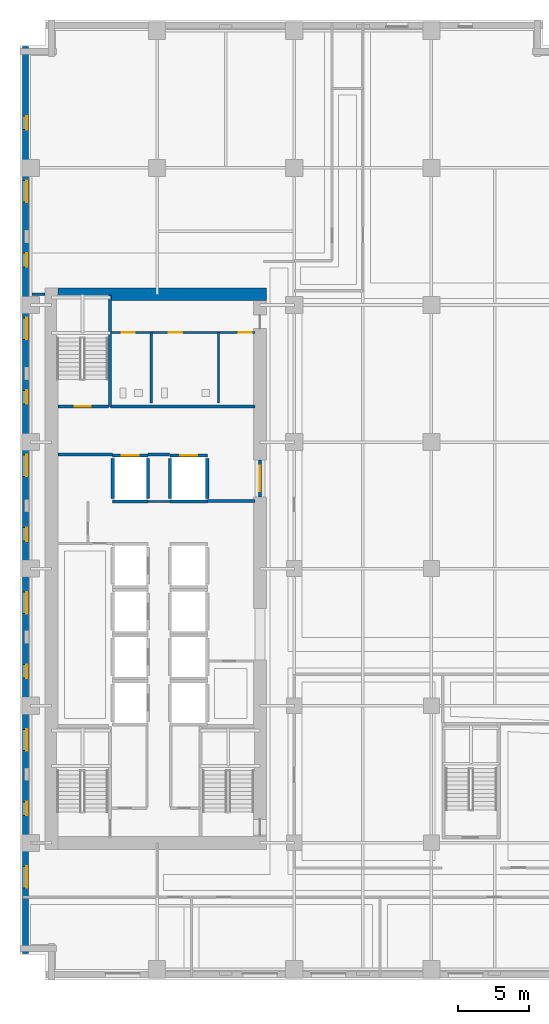
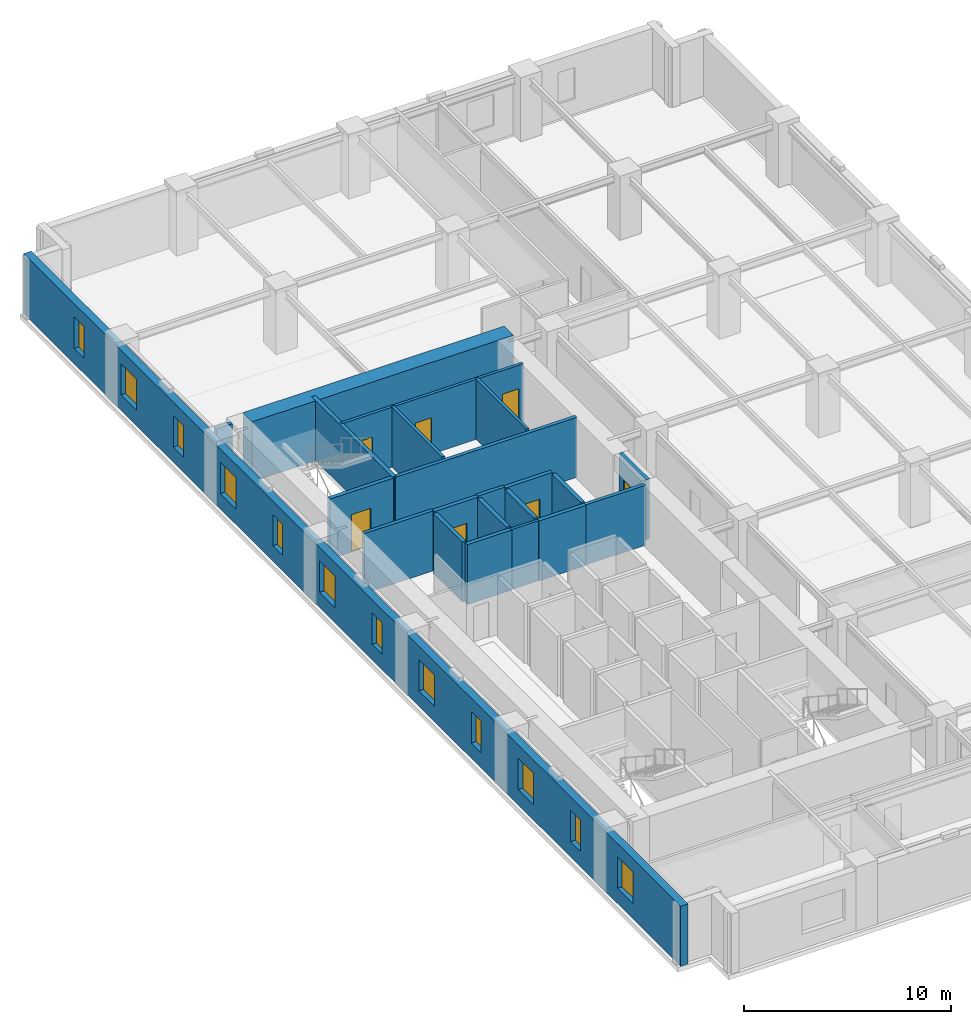
# One storey, part 6 of 13: 22 walls, 12 windows, 7 doors, 19 openings.
"""IFC4 building model written with IfcOpenShell, lengths in metres."""

from ifc_helpers import new_model, si_unit, direction, frame, frame_2d, origin, place, context, subcontext, project, spatial, rectangle, extrude, material, layer, layer_set, type_object, element, fill, save


model = new_model("IFC4")

# Units and contexts
model_context = context("Model", 3, precision=1e-05, world=origin(), true_north=direction((0.0, 1.0)))
body_context = subcontext(model_context, "Body", "Model", "MODEL_VIEW")
ifc_project = project(units=[si_unit("LENGTHUNIT", "METRE"), si_unit("AREAUNIT", "SQUARE_METRE"), si_unit("VOLUMEUNIT", "CUBIC_METRE"), si_unit("PLANEANGLEUNIT", "RADIAN"), si_unit("MASSUNIT", "GRAM", prefix="KILO")], contexts=[model_context])

# Site, building, storey
site_placement = place(None, origin())
site = spatial("IfcSite", under=ifc_project, at=site_placement, CompositionType="ELEMENT")
building_placement = place(site_placement, origin())
building = spatial("IfcBuilding", under=site, at=building_placement, Name="Norrvale University Quadrangle", CompositionType="ELEMENT")
storey_placement = place(building_placement, frame((0.0, 0.0, 39.39990234375)))
storey = spatial("IfcBuildingStorey", under=building, at=storey_placement, Name="L09", CompositionType="ELEMENT", Elevation=39.39990234375)

# Wall, openings, windows
ifc_material_1 = material(Name="Buff Norman Clay Brick Masonry", Category="masonry")
ifc_layer_1 = layer(ifc_material_1, 0.419921875, Name="Buff Norman Clay Brick Masonry")
ifc_layer_set_1 = layer_set([ifc_layer_1], Name="Buff Norman Clay Brick Masonry")
wall_type_1 = type_object("IfcWallType", Name="Wall Buff Brick 420", PredefinedType="SOLIDWALL", material=ifc_layer_set_1)
wall_1_placement = place(storey_placement, frame((0.389892578125, 65.360107421875, 0.0), z_axis=(0.0, 0.0, 1.0), x_axis=(0.0, -1.0, 0.0)))
wall_1 = element("IfcWall", 1, at=wall_1_placement, inside=storey, type_object=wall_type_1, Name="Exterior Brick Facade Wall L09-14.1", PredefinedType="SOLIDWALL", context=body_context, shape_type="SweptSolid", body=[
    extrude(rectangle(XDim=63.52001953125, YDim=0.419921875, at=frame_2d((31.760009765625, 0.0))), origin(), (0.0, 0.0, 1.0), 3.5400390625),
])
opening_1_placement = place(wall_1_placement, frame((4.885009765625, 0.0, 0.89990234375)))
opening_1 = element("IfcOpeningElement", 2, at=opening_1_placement, cuts=wall_1, Name="Opening W04", PredefinedType="OPENING", context=body_context, shape_type="SweptSolid", body=[
    extrude(rectangle(XDim=0.949951171875, YDim=1.85009765625, at=frame_2d((0.47509765625, 0.925048828125))), frame((0.0, 0.221923828125, 0.0), z_axis=(0.0, -1.0, 0.0), x_axis=(1.0, 0.0, 0.0)), (0.0, 0.0, 1.0), 0.44384765625),
])
opening_2_placement = place(wall_1_placement, frame((9.409912109375, 0.0, 0.89990234375)))
opening_2 = element("IfcOpeningElement", 3, at=opening_2_placement, cuts=wall_1, Name="Opening W03", PredefinedType="OPENING", context=body_context, shape_type="SweptSolid", body=[
    extrude(rectangle(XDim=1.5, YDim=1.85009765625, at=frame_2d((0.75, 0.925048828125))), frame((0.0, 0.221923828125, 0.0), z_axis=(0.0, -1.0, 0.0), x_axis=(1.0, 0.0, 0.0)), (0.0, 0.0, 1.0), 0.44384765625),
])
opening_3_placement = place(wall_1_placement, frame((14.485107421875, 0.0, 0.89990234375)))
opening_3 = element("IfcOpeningElement", 4, at=opening_3_placement, cuts=wall_1, Name="Opening W04", PredefinedType="OPENING", context=body_context, shape_type="SweptSolid", body=[
    extrude(rectangle(XDim=0.949951171875, YDim=1.85009765625, at=frame_2d((0.47509765625, 0.925048828125))), frame((0.0, 0.221923828125, 0.0), z_axis=(0.0, -1.0, 0.0), x_axis=(1.0, 0.0, 0.0)), (0.0, 0.0, 1.0), 0.44384765625),
])
opening_4_placement = place(wall_1_placement, frame((19.010009765625, 0.0, 0.89990234375)))
opening_4 = element("IfcOpeningElement", 5, at=opening_4_placement, cuts=wall_1, Name="Opening W03", PredefinedType="OPENING", context=body_context, shape_type="SweptSolid", body=[
    extrude(rectangle(XDim=1.5, YDim=1.85009765625, at=frame_2d((0.75, 0.925048828125))), frame((0.0, 0.221923828125, 0.0), z_axis=(0.0, -1.0, 0.0), x_axis=(1.0, 0.0, 0.0)), (0.0, 0.0, 1.0), 0.44384765625),
])
opening_5_placement = place(wall_1_placement, frame((24.0849609375, 0.0, 0.89990234375)))
opening_5 = element("IfcOpeningElement", 6, at=opening_5_placement, cuts=wall_1, Name="Opening W04", PredefinedType="OPENING", context=body_context, shape_type="SweptSolid", body=[
    extrude(rectangle(XDim=0.949951171875, YDim=1.85009765625, at=frame_2d((0.47509765625, 0.925048828125))), frame((0.0, 0.221923828125, 0.0), z_axis=(0.0, -1.0, 0.0), x_axis=(1.0, 0.0, 0.0)), (0.0, 0.0, 1.0), 0.44384765625),
])
opening_6_placement = place(wall_1_placement, frame((28.610107421875, 0.0, 0.89990234375)))
opening_6 = element("IfcOpeningElement", 7, at=opening_6_placement, cuts=wall_1, Name="Opening W03", PredefinedType="OPENING", context=body_context, shape_type="SweptSolid", body=[
    extrude(rectangle(XDim=1.5, YDim=1.85009765625, at=frame_2d((0.75, 0.925048828125))), frame((0.0, 0.221923828125, 0.0), z_axis=(0.0, -1.0, 0.0), x_axis=(1.0, 0.0, 0.0)), (0.0, 0.0, 1.0), 0.44384765625),
])
opening_7_placement = place(wall_1_placement, frame((33.68505859375, 0.0, 0.89990234375)))
opening_7 = element("IfcOpeningElement", 8, at=opening_7_placement, cuts=wall_1, Name="Opening W04", PredefinedType="OPENING", context=body_context, shape_type="SweptSolid", body=[
    extrude(rectangle(XDim=0.949951171875, YDim=1.85009765625, at=frame_2d((0.47509765625, 0.925048828125))), frame((0.0, 0.221923828125, 0.0), z_axis=(0.0, -1.0, 0.0), x_axis=(1.0, 0.0, 0.0)), (0.0, 0.0, 1.0), 0.44384765625),
])
opening_8_placement = place(wall_1_placement, frame((38.2099609375, 0.0, 0.89990234375)))
opening_8 = element("IfcOpeningElement", 9, at=opening_8_placement, cuts=wall_1, Name="Opening W03", PredefinedType="OPENING", context=body_context, shape_type="SweptSolid", body=[
    extrude(rectangle(XDim=1.5, YDim=1.85009765625, at=frame_2d((0.75, 0.925048828125))), frame((0.0, 0.221923828125, 0.0), z_axis=(0.0, -1.0, 0.0), x_axis=(1.0, 0.0, 0.0)), (0.0, 0.0, 1.0), 0.44384765625),
])
opening_9_placement = place(wall_1_placement, frame((43.284912109375, 0.0, 0.89990234375)))
opening_9 = element("IfcOpeningElement", 10, at=opening_9_placement, cuts=wall_1, Name="Opening W04", PredefinedType="OPENING", context=body_context, shape_type="SweptSolid", body=[
    extrude(rectangle(XDim=0.949951171875, YDim=1.85009765625, at=frame_2d((0.47509765625, 0.925048828125))), frame((0.0, 0.221923828125, 0.0), z_axis=(0.0, -1.0, 0.0), x_axis=(1.0, 0.0, 0.0)), (0.0, 0.0, 1.0), 0.44384765625),
])
opening_10_placement = place(wall_1_placement, frame((47.81005859375, 0.0, 0.89990234375)))
opening_10 = element("IfcOpeningElement", 11, at=opening_10_placement, cuts=wall_1, Name="Opening W03", PredefinedType="OPENING", context=body_context, shape_type="SweptSolid", body=[
    extrude(rectangle(XDim=1.5, YDim=1.85009765625, at=frame_2d((0.75, 0.925048828125))), frame((0.0, 0.221923828125, 0.0), z_axis=(0.0, -1.0, 0.0), x_axis=(1.0, 0.0, 0.0)), (0.0, 0.0, 1.0), 0.44384765625),
])
opening_11_placement = place(wall_1_placement, frame((52.885009765625, 0.0, 0.89990234375)))
opening_11 = element("IfcOpeningElement", 12, at=opening_11_placement, cuts=wall_1, Name="Opening W04", PredefinedType="OPENING", context=body_context, shape_type="SweptSolid", body=[
    extrude(rectangle(XDim=0.949951171875, YDim=1.85009765625, at=frame_2d((0.47509765625, 0.925048828125))), frame((0.0, 0.221923828125, 0.0), z_axis=(0.0, -1.0, 0.0), x_axis=(1.0, 0.0, 0.0)), (0.0, 0.0, 1.0), 0.44384765625),
])
opening_12_placement = place(wall_1_placement, frame((57.409912109375, 0.0, 0.89990234375)))
opening_12 = element("IfcOpeningElement", 13, at=opening_12_placement, cuts=wall_1, Name="Opening W03", PredefinedType="OPENING", context=body_context, shape_type="SweptSolid", body=[
    extrude(rectangle(XDim=1.5, YDim=1.85009765625, at=frame_2d((0.75, 0.925048828125))), frame((0.0, 0.221923828125, 0.0), z_axis=(0.0, -1.0, 0.0), x_axis=(1.0, 0.0, 0.0)), (0.0, 0.0, 1.0), 0.44384765625),
])
ifc_material_2 = material(Name="Triple Low-E Argon Glazing", Category="glass")
window_type_1 = type_object("IfcWindowType", Name="Window Narrow Pier 950x2300", PartitioningType="SINGLE_PANEL", PredefinedType="WINDOW", material=ifc_material_2)
window_1_placement = place(opening_1_placement, origin())
window_1 = element("IfcWindow", 14, at=window_1_placement, inside=storey, type_object=window_type_1, Name="Window Narrow Pier 950x2300 WIN-L09-E14-1-01", OverallHeight=1.85009765625, OverallWidth=0.949951171875, PartitioningType="SINGLE_PANEL", PredefinedType="WINDOW", context=body_context, shape_type="SweptSolid", body=[
    extrude(rectangle(XDim=0.949951171875, YDim=1.85009765625, at=frame_2d((0.47509765625, 0.925048828125))), frame((0.0, 0.110107421875, 0.0), z_axis=(0.0, -1.0, 0.0), x_axis=(1.0, 0.0, 0.0)), (0.0, 0.0, 1.0), 0.06005859375),
])
fill(opening_1, window_1)
window_2_placement = place(opening_3_placement, origin())
window_2 = element("IfcWindow", 15, at=window_2_placement, inside=storey, type_object=window_type_1, Name="Window Narrow Pier 950x2300 WIN-L09-E14-1-03", OverallHeight=1.85009765625, OverallWidth=0.949951171875, PartitioningType="SINGLE_PANEL", PredefinedType="WINDOW", context=body_context, shape_type="SweptSolid", body=[
    extrude(rectangle(XDim=0.949951171875, YDim=1.85009765625, at=frame_2d((0.47509765625, 0.925048828125))), frame((0.0, 0.110107421875, 0.0), z_axis=(0.0, -1.0, 0.0), x_axis=(1.0, 0.0, 0.0)), (0.0, 0.0, 1.0), 0.06005859375),
])
fill(opening_3, window_2)
window_3_placement = place(opening_5_placement, origin())
window_3 = element("IfcWindow", 16, at=window_3_placement, inside=storey, type_object=window_type_1, Name="Window Narrow Pier 950x2300 WIN-L09-E14-1-05", OverallHeight=1.85009765625, OverallWidth=0.949951171875, PartitioningType="SINGLE_PANEL", PredefinedType="WINDOW", context=body_context, shape_type="SweptSolid", body=[
    extrude(rectangle(XDim=0.949951171875, YDim=1.85009765625, at=frame_2d((0.47509765625, 0.925048828125))), frame((0.0, 0.110107421875, 0.0), z_axis=(0.0, -1.0, 0.0), x_axis=(1.0, 0.0, 0.0)), (0.0, 0.0, 1.0), 0.06005859375),
])
fill(opening_5, window_3)
window_4_placement = place(opening_7_placement, origin())
window_4 = element("IfcWindow", 17, at=window_4_placement, inside=storey, type_object=window_type_1, Name="Window Narrow Pier 950x2300 WIN-L09-E14-1-07", OverallHeight=1.85009765625, OverallWidth=0.949951171875, PartitioningType="SINGLE_PANEL", PredefinedType="WINDOW", context=body_context, shape_type="SweptSolid", body=[
    extrude(rectangle(XDim=0.949951171875, YDim=1.85009765625, at=frame_2d((0.47509765625, 0.925048828125))), frame((0.0, 0.110107421875, 0.0), z_axis=(0.0, -1.0, 0.0), x_axis=(1.0, 0.0, 0.0)), (0.0, 0.0, 1.0), 0.06005859375),
])
fill(opening_7, window_4)
window_5_placement = place(opening_9_placement, origin())
window_5 = element("IfcWindow", 18, at=window_5_placement, inside=storey, type_object=window_type_1, Name="Window Narrow Pier 950x2300 WIN-L09-E14-1-09", OverallHeight=1.85009765625, OverallWidth=0.949951171875, PartitioningType="SINGLE_PANEL", PredefinedType="WINDOW", context=body_context, shape_type="SweptSolid", body=[
    extrude(rectangle(XDim=0.949951171875, YDim=1.85009765625, at=frame_2d((0.47509765625, 0.925048828125))), frame((0.0, 0.110107421875, 0.0), z_axis=(0.0, -1.0, 0.0), x_axis=(1.0, 0.0, 0.0)), (0.0, 0.0, 1.0), 0.06005859375),
])
fill(opening_9, window_5)
window_6_placement = place(opening_11_placement, origin())
window_6 = element("IfcWindow", 19, at=window_6_placement, inside=storey, type_object=window_type_1, Name="Window Narrow Pier 950x2300 WIN-L09-E14-1-11", OverallHeight=1.85009765625, OverallWidth=0.949951171875, PartitioningType="SINGLE_PANEL", PredefinedType="WINDOW", context=body_context, shape_type="SweptSolid", body=[
    extrude(rectangle(XDim=0.949951171875, YDim=1.85009765625, at=frame_2d((0.47509765625, 0.925048828125))), frame((0.0, 0.110107421875, 0.0), z_axis=(0.0, -1.0, 0.0), x_axis=(1.0, 0.0, 0.0)), (0.0, 0.0, 1.0), 0.06005859375),
])
fill(opening_11, window_6)
window_type_2 = type_object("IfcWindowType", Name="Window Studio 1500x2300", PartitioningType="DOUBLE_PANEL_VERTICAL", PredefinedType="WINDOW", material=ifc_material_2)
window_7_placement = place(opening_2_placement, origin())
window_7 = element("IfcWindow", 20, at=window_7_placement, inside=storey, type_object=window_type_2, Name="Window Studio 1500x2300 WIN-L09-E14-1-02", OverallHeight=1.85009765625, OverallWidth=1.5, PartitioningType="DOUBLE_PANEL_VERTICAL", PredefinedType="WINDOW", context=body_context, shape_type="SweptSolid", body=[
    extrude(rectangle(XDim=1.5, YDim=1.85009765625, at=frame_2d((0.75, 0.925048828125))), frame((0.0, 0.110107421875, 0.0), z_axis=(0.0, -1.0, 0.0), x_axis=(1.0, 0.0, 0.0)), (0.0, 0.0, 1.0), 0.06005859375),
])
fill(opening_2, window_7)
window_8_placement = place(opening_4_placement, origin())
window_8 = element("IfcWindow", 21, at=window_8_placement, inside=storey, type_object=window_type_2, Name="Window Studio 1500x2300 WIN-L09-E14-1-04", OverallHeight=1.85009765625, OverallWidth=1.5, PartitioningType="DOUBLE_PANEL_VERTICAL", PredefinedType="WINDOW", context=body_context, shape_type="SweptSolid", body=[
    extrude(rectangle(XDim=1.5, YDim=1.85009765625, at=frame_2d((0.75, 0.925048828125))), frame((0.0, 0.110107421875, 0.0), z_axis=(0.0, -1.0, 0.0), x_axis=(1.0, 0.0, 0.0)), (0.0, 0.0, 1.0), 0.06005859375),
])
fill(opening_4, window_8)
window_9_placement = place(opening_6_placement, origin())
window_9 = element("IfcWindow", 22, at=window_9_placement, inside=storey, type_object=window_type_2, Name="Window Studio 1500x2300 WIN-L09-E14-1-06", OverallHeight=1.85009765625, OverallWidth=1.5, PartitioningType="DOUBLE_PANEL_VERTICAL", PredefinedType="WINDOW", context=body_context, shape_type="SweptSolid", body=[
    extrude(rectangle(XDim=1.5, YDim=1.85009765625, at=frame_2d((0.75, 0.925048828125))), frame((0.0, 0.110107421875, 0.0), z_axis=(0.0, -1.0, 0.0), x_axis=(1.0, 0.0, 0.0)), (0.0, 0.0, 1.0), 0.06005859375),
])
fill(opening_6, window_9)
window_10_placement = place(opening_8_placement, origin())
window_10 = element("IfcWindow", 23, at=window_10_placement, inside=storey, type_object=window_type_2, Name="Window Studio 1500x2300 WIN-L09-E14-1-08", OverallHeight=1.85009765625, OverallWidth=1.5, PartitioningType="DOUBLE_PANEL_VERTICAL", PredefinedType="WINDOW", context=body_context, shape_type="SweptSolid", body=[
    extrude(rectangle(XDim=1.5, YDim=1.85009765625, at=frame_2d((0.75, 0.925048828125))), frame((0.0, 0.110107421875, 0.0), z_axis=(0.0, -1.0, 0.0), x_axis=(1.0, 0.0, 0.0)), (0.0, 0.0, 1.0), 0.06005859375),
])
fill(opening_8, window_10)
window_11_placement = place(opening_10_placement, origin())
window_11 = element("IfcWindow", 24, at=window_11_placement, inside=storey, type_object=window_type_2, Name="Window Studio 1500x2300 WIN-L09-E14-1-10", OverallHeight=1.85009765625, OverallWidth=1.5, PartitioningType="DOUBLE_PANEL_VERTICAL", PredefinedType="WINDOW", context=body_context, shape_type="SweptSolid", body=[
    extrude(rectangle(XDim=1.5, YDim=1.85009765625, at=frame_2d((0.75, 0.925048828125))), frame((0.0, 0.110107421875, 0.0), z_axis=(0.0, -1.0, 0.0), x_axis=(1.0, 0.0, 0.0)), (0.0, 0.0, 1.0), 0.06005859375),
])
fill(opening_10, window_11)
window_12_placement = place(opening_12_placement, origin())
window_12 = element("IfcWindow", 25, at=window_12_placement, inside=storey, type_object=window_type_2, Name="Window Studio 1500x2300 WIN-L09-E14-1-12", OverallHeight=1.85009765625, OverallWidth=1.5, PartitioningType="DOUBLE_PANEL_VERTICAL", PredefinedType="WINDOW", context=body_context, shape_type="SweptSolid", body=[
    extrude(rectangle(XDim=1.5, YDim=1.85009765625, at=frame_2d((0.75, 0.925048828125))), frame((0.0, 0.110107421875, 0.0), z_axis=(0.0, -1.0, 0.0), x_axis=(1.0, 0.0, 0.0)), (0.0, 0.0, 1.0), 0.06005859375),
])
fill(opening_12, window_12)

# Walls
ifc_material_3 = material(Name="Concrete C80/95", Category="concrete")
ifc_layer_2 = layer(ifc_material_3, 0.89990234375, Name="Concrete C80/95")
ifc_layer_set_2 = layer_set([ifc_layer_2], Name="Concrete C80/95")
wall_type_2 = type_object("IfcWallType", Name="Wall Core 900", PredefinedType="SHEAR", material=ifc_layer_set_2)
wall_2_placement = place(storey_placement, frame((2.64990234375, 48.0, 0.0), z_axis=(0.0, 0.0, 1.0), x_axis=(1.0, 0.0, 0.0)))
element("IfcWall", 26, at=wall_2_placement, inside=storey, type_object=wall_type_2, Name="Tower Core Shear Wall L09-N", PredefinedType="SHEAR", context=body_context, shape_type="SweptSolid", body=[
    extrude(rectangle(XDim=14.60009765625, YDim=0.89990234375, at=frame_2d((7.300048828125, 0.0))), origin(), (0.0, 0.0, 1.0), 3.5400390625),
])
ifc_material_4 = material(Name="Fire-Rated Gypsum Stud Partition")
ifc_layer_3 = layer(ifc_material_4, 0.14990234375, Name="Fire-Rated Gypsum Stud Partition")
ifc_layer_set_3 = layer_set([ifc_layer_3], Name="Fire-Rated Gypsum Stud Partition")
wall_type_3 = type_object("IfcWallType", Name="Wall Gypsum Corridor 150", PredefinedType="PARTITIONING", material=ifc_layer_set_3)
wall_3_placement = place(storey_placement, frame((8.965087890625, 33.489990234375, 0.0), z_axis=(0.0, 0.0, 1.0), x_axis=(1.0, 0.0, 0.0)))
element("IfcWall", 27, at=wall_3_placement, inside=storey, type_object=wall_type_3, Name="Interior Partition WL-L09-LL3", PredefinedType="PARTITIONING", context=body_context, shape_type="SweptSolid", body=[
    extrude(rectangle(XDim=1.52001953125, YDim=0.14990234375, at=frame_2d((0.760009765625, 0.0))), origin(), (0.0, 0.0, 1.0), 3.5400390625),
])

# Wall, openings, doors
ifc_material_5 = material(Name="Sanitary Chase Gypsum Partition")
ifc_layer_4 = layer(ifc_material_5, 0.1650390625, Name="Sanitary Chase Gypsum Partition")
ifc_layer_set_4 = layer_set([ifc_layer_4], Name="Sanitary Chase Gypsum Partition")
wall_type_4 = type_object("IfcWallType", Name="Wall Gypsum Sanitary 165", PredefinedType="PLUMBINGWALL", material=ifc_layer_set_4)
wall_4_placement = place(storey_placement, frame((6.320068359375, 45.320068359375, 0.0), z_axis=(0.0, 0.0, 1.0), x_axis=(1.0, 0.0, 0.0)))
wall_4 = element("IfcWall", 28, at=wall_4_placement, inside=storey, type_object=wall_type_4, Name="Interior Partition WL-L09-WCN", PredefinedType="PLUMBINGWALL", context=body_context, shape_type="SweptSolid", body=[
    extrude(rectangle(XDim=10.1298828125, YDim=0.1650390625, at=frame_2d((5.06494140625, 0.0))), origin(), (0.0, 0.0, 1.0), 3.5400390625),
])
opening_13_placement = place(wall_4_placement, frame((0.800048828125, 0.0, 0.0)))
opening_13 = element("IfcOpeningElement", 29, at=opening_13_placement, cuts=wall_4, Name="Opening D08", PredefinedType="OPENING", context=body_context, shape_type="SweptSolid", body=[
    extrude(rectangle(XDim=0.919921875, YDim=2.14990234375, at=frame_2d((0.4599609375, 1.074951171875))), frame((0.0, 0.094482421875, 0.0), z_axis=(0.0, -1.0, 0.0), x_axis=(1.0, 0.0, 0.0)), (0.0, 0.0, 1.0), 0.18896484375),
])
opening_14_placement = place(wall_4_placement, frame((4.10009765625, 0.0, 0.0)))
opening_14 = element("IfcOpeningElement", 30, at=opening_14_placement, cuts=wall_4, Name="Opening D08", PredefinedType="OPENING", context=body_context, shape_type="SweptSolid", body=[
    extrude(rectangle(XDim=0.919921875, YDim=2.14990234375, at=frame_2d((0.4599609375, 1.074951171875))), frame((0.0, 0.094482421875, 0.0), z_axis=(0.0, -1.0, 0.0), x_axis=(1.0, 0.0, 0.0)), (0.0, 0.0, 1.0), 0.18896484375),
])
opening_15_placement = place(wall_4_placement, frame((8.97998046875, 0.0, 0.0)))
opening_15 = element("IfcOpeningElement", 31, at=opening_15_placement, cuts=wall_4, Name="Opening D08", PredefinedType="OPENING", context=body_context, shape_type="SweptSolid", body=[
    extrude(rectangle(XDim=0.919921875, YDim=2.14990234375, at=frame_2d((0.4599609375, 1.074951171875))), frame((0.0, 0.094482421875, 0.0), z_axis=(0.0, -1.0, 0.0), x_axis=(1.0, 0.0, 0.0)), (0.0, 0.0, 1.0), 0.18896484375),
])
ifc_material_6 = material(Name="Laminate Washroom Door", Category="wood")
door_type_1 = type_object("IfcDoorType", Name="Door Washroom 920x2150", OperationType="NOTDEFINED", PredefinedType="DOOR", material=ifc_material_6)
door_1_placement = place(opening_13_placement, origin())
door_1 = element("IfcDoor", 32, at=door_1_placement, inside=storey, type_object=door_type_1, Name="Door Washroom 920x2150 DR-L09-WC1", OperationType="SINGLE_SWING_LEFT", OverallHeight=2.14990234375, OverallWidth=0.919921875, PredefinedType="DOOR", context=body_context, shape_type="SweptSolid", body=[
    extrude(rectangle(XDim=0.919921875, YDim=2.14990234375, at=frame_2d((0.4599609375, 1.074951171875))), frame((0.0, 0.02490234375, 0.0), z_axis=(0.0, -1.0, 0.0), x_axis=(1.0, 0.0, 0.0)), (0.0, 0.0, 1.0), 0.050048828125),
])
fill(opening_13, door_1)
door_2_placement = place(opening_14_placement, origin())
door_2 = element("IfcDoor", 33, at=door_2_placement, inside=storey, type_object=door_type_1, Name="Door Washroom 920x2150 DR-L09-WC2", OperationType="SINGLE_SWING_RIGHT", OverallHeight=2.14990234375, OverallWidth=0.919921875, PredefinedType="DOOR", context=body_context, shape_type="SweptSolid", body=[
    extrude(rectangle(XDim=0.919921875, YDim=2.14990234375, at=frame_2d((0.4599609375, 1.074951171875))), frame((0.0, 0.02490234375, 0.0), z_axis=(0.0, -1.0, 0.0), x_axis=(1.0, 0.0, 0.0)), (0.0, 0.0, 1.0), 0.050048828125),
])
fill(opening_14, door_2)
door_3_placement = place(opening_15_placement, origin())
door_3 = element("IfcDoor", 34, at=door_3_placement, inside=storey, type_object=door_type_1, Name="Door Washroom 920x2150 DR-L09-WC3", OperationType="SINGLE_SWING_LEFT", OverallHeight=2.14990234375, OverallWidth=0.919921875, PredefinedType="DOOR", context=body_context, shape_type="SweptSolid", body=[
    extrude(rectangle(XDim=0.919921875, YDim=2.14990234375, at=frame_2d((0.4599609375, 1.074951171875))), frame((0.0, 0.02490234375, 0.0), z_axis=(0.0, -1.0, 0.0), x_axis=(1.0, 0.0, 0.0)), (0.0, 0.0, 1.0), 0.050048828125),
])
fill(opening_15, door_3)

# Walls
for number, where, z_axis, x_axis, name in (
    (35, (9.199951171875, 40.39990234375, 0.0), (0.0, 0.0, 1.0), (0.0, 1.0, 0.0), "Interior Partition WL-L09-WCM1"),
    (36, (13.89990234375, 40.39990234375, 0.0), (0.0, 0.0, 1.0), (0.0, 1.0, 0.0), "Interior Partition WL-L09-WCM2"),
):
    element("IfcWall", number, at=place(storey_placement, frame(where, z_axis=z_axis, x_axis=x_axis)), inside=storey, type_object=wall_type_4, Name=name, PredefinedType="PLUMBINGWALL", context=body_context, shape_type="SweptSolid", body=[
        extrude(rectangle(XDim=4.920166015625, YDim=0.1650390625, at=frame_2d((2.4599609375, 0.0))), origin(), (0.0, 0.0, 1.0), 3.5400390625),
    ])
ifc_material_7 = material(Name="Concrete Blockwork 20 MPa Rated Wall", Category="masonry")
ifc_layer_5 = layer(ifc_material_7, 0.199951171875, Name="Concrete Blockwork 20 MPa Rated Wall")
ifc_layer_set_5 = layer_set([ifc_layer_5], Name="Concrete Blockwork 20 MPa Rated Wall")
wall_type_5 = type_object("IfcWallType", Name="Wall Lobby 200", PredefinedType="SOLIDWALL", material=ifc_layer_set_5)
wall_5_placement = place(storey_placement, frame((2.64990234375, 36.780029296875, 0.0), z_axis=(0.0, 0.0, 1.0), x_axis=(1.0, 0.0, 0.0)))
element("IfcWall", 37, at=wall_5_placement, inside=storey, type_object=wall_type_5, Name="Interior Partition WL-L09-FF1", PredefinedType="SOLIDWALL", context=body_context, shape_type="SweptSolid", body=[
    extrude(rectangle(XDim=3.830078125, YDim=0.199951171875, at=frame_2d((1.9150390625, 0.0))), origin(), (0.0, 0.0, 1.0), 3.5400390625),
])
wall_6_placement = place(storey_placement, frame((8.969970703125, 36.780029296875, 0.0), z_axis=(0.0, 0.0, 1.0), x_axis=(1.0, 0.0, 0.0)))
element("IfcWall", 38, at=wall_6_placement, inside=storey, type_object=wall_type_5, Name="Interior Partition WL-L09-FF2", PredefinedType="SOLIDWALL", context=body_context, shape_type="SweptSolid", body=[
    extrude(rectangle(XDim=1.510009765625, YDim=0.199951171875, at=frame_2d((0.7548828125, 0.0))), origin(), (0.0, 0.0, 1.0), 3.5400390625),
])
wall_7_placement = place(storey_placement, frame((13.1201171875, 33.52001953125, 0.0), z_axis=(0.0, 0.0, 1.0), x_axis=(1.0, 0.0, 0.0)))
element("IfcWall", 39, at=wall_7_placement, inside=storey, type_object=wall_type_5, Name="Interior Partition WL-L09-FF3", PredefinedType="SOLIDWALL", context=body_context, shape_type="SweptSolid", body=[
    extrude(rectangle(XDim=3.329833984375, YDim=0.199951171875, at=frame_2d((1.6650390625, 0.0))), origin(), (0.0, 0.0, 1.0), 3.5400390625),
])
wall_8_placement = place(storey_placement, frame((6.320068359375, 40.139892578125, 0.0), z_axis=(0.0, 0.0, 1.0), x_axis=(1.0, 0.0, 0.0)))
element("IfcWall", 40, at=wall_8_placement, inside=storey, type_object=wall_type_5, Name="Interior Partition WL-L09-FF4", PredefinedType="SOLIDWALL", context=body_context, shape_type="SweptSolid", body=[
    extrude(rectangle(XDim=10.1298828125, YDim=0.199951171875, at=frame_2d((5.06494140625, 0.0))), origin(), (0.0, 0.0, 1.0), 3.5400390625),
])

# Wall, opening, door
wall_9_placement = place(storey_placement, frame((16.800048828125, 33.800048828125, 0.0), z_axis=(0.0, 0.0, 1.0), x_axis=(0.0, 1.0, 0.0)))
wall_9 = element("IfcWall", 41, at=wall_9_placement, inside=storey, type_object=wall_type_5, Name="Interior Partition WL-L09-FFP", PredefinedType="SOLIDWALL", context=body_context, shape_type="SweptSolid", body=[
    extrude(rectangle(XDim=2.599853515625, YDim=0.199951171875, at=frame_2d((1.2998046875, 0.0))), origin(), (0.0, 0.0, 1.0), 3.5400390625),
])
opening_16_placement = place(wall_9_placement, frame((0.39990234375, 0.0, 0.0)))
opening_16 = element("IfcOpeningElement", 42, at=opening_16_placement, cuts=wall_9, Name="Opening D03", PredefinedType="OPENING", context=body_context, shape_type="SweptSolid", body=[
    extrude(rectangle(XDim=1.800048828125, YDim=2.199951171875, at=frame_2d((0.89990234375, 1.10009765625))), frame((0.0, 0.112060546875, 0.0), z_axis=(0.0, -1.0, 0.0), x_axis=(1.0, 0.0, 0.0)), (0.0, 0.0, 1.0), 0.223876953125),
])
ifc_material_8 = material(Name="Hollow Steel 350W Fire Door", Category="steel")
door_type_2 = type_object("IfcDoorType", Name="Door Fire Lobby 1800x2200", OperationType="DOUBLE_DOOR_SINGLE_SWING", PredefinedType="DOOR", material=ifc_material_8)
door_4_placement = place(opening_16_placement, origin())
door_4 = element("IfcDoor", 43, at=door_4_placement, inside=storey, type_object=door_type_2, Name="Door Fire Lobby 1800x2200 DR-L09-FFP", OperationType="DOUBLE_DOOR_SINGLE_SWING", OverallHeight=2.199951171875, OverallWidth=1.800048828125, PredefinedType="DOOR", context=body_context, shape_type="SweptSolid", body=[
    extrude(rectangle(XDim=1.800048828125, YDim=2.199951171875, at=frame_2d((0.89990234375, 1.10009765625))), frame((0.0, 0.02490234375, 0.0), z_axis=(0.0, -1.0, 0.0), x_axis=(1.0, 0.0, 0.0)), (0.0, 0.0, 1.0), 0.050048828125),
])
fill(opening_16, door_4)

# Wall
wall_10_placement = place(storey_placement, frame((0.85009765625, 48.0, 0.0), z_axis=(0.0, 0.0, 1.0), x_axis=(1.0, 0.0, 0.0)))
element("IfcWall", 44, at=wall_10_placement, inside=storey, type_object=wall_type_5, Name="Interior Partition WL-L09-CWRET-N", PredefinedType="SOLIDWALL", context=body_context, shape_type="SweptSolid", body=[
    extrude(rectangle(XDim=0.89501953125, YDim=0.199951171875, at=frame_2d((0.447509765625, 0.0))), origin(), (0.0, 0.0, 1.0), 3.5400390625),
])

# Wall, opening, door
ifc_material_9 = material(Name="Concrete Blockwork 20 MPa Fire Shaft", Category="masonry")
ifc_layer_6 = layer(ifc_material_9, 0.219970703125, Name="Concrete Blockwork 20 MPa Fire Shaft")
ifc_layer_set_6 = layer_set([ifc_layer_6], Name="Concrete Blockwork 20 MPa Fire Shaft")
wall_type_6 = type_object("IfcWallType", Name="Wall Shaft 220", PredefinedType="SOLIDWALL", material=ifc_layer_set_6)
wall_11_placement = place(storey_placement, frame((2.64990234375, 40.139892578125, 0.0), z_axis=(0.0, 0.0, 1.0), x_axis=(1.0, 0.0, 0.0)))
wall_11 = element("IfcWall", 45, at=wall_11_placement, inside=storey, type_object=wall_type_6, Name="Stair ST-02 South Shaft Wall L09", PredefinedType="SOLIDWALL", context=body_context, shape_type="SweptSolid", body=[
    extrude(rectangle(XDim=3.550048828125, YDim=0.219970703125, at=frame_2d((1.77490234375, 0.0))), origin(), (0.0, 0.0, 1.0), 3.5400390625),
])
opening_17_placement = place(wall_11_placement, frame((1.199951171875, 0.0, 0.0)))
opening_17 = element("IfcOpeningElement", 46, at=opening_17_placement, cuts=wall_11, Name="Opening D02", PredefinedType="OPENING", context=body_context, shape_type="SweptSolid", body=[
    extrude(rectangle(XDim=1.10009765625, YDim=2.199951171875, at=frame_2d((0.550048828125, 1.10009765625))), frame((0.0, 0.1220703125, 0.0), z_axis=(0.0, -1.0, 0.0), x_axis=(1.0, 0.0, 0.0)), (0.0, 0.0, 1.0), 0.243896484375),
])
door_type_3 = type_object("IfcDoorType", Name="Door Stair Exit 1100x2200", OperationType="NOTDEFINED", PredefinedType="DOOR", material=ifc_material_8)
door_5_placement = place(opening_17_placement, origin())
door_5 = element("IfcDoor", 47, at=door_5_placement, inside=storey, type_object=door_type_3, Name="Door Stair Exit 1100x2200 DR-L09-ST02", OperationType="SINGLE_SWING_LEFT", OverallHeight=2.199951171875, OverallWidth=1.10009765625, PredefinedType="DOOR", context=body_context, shape_type="SweptSolid", body=[
    extrude(rectangle(XDim=1.10009765625, YDim=2.199951171875, at=frame_2d((0.550048828125, 1.10009765625))), frame((0.0, 0.02490234375, 0.0), z_axis=(0.0, -1.0, 0.0), x_axis=(1.0, 0.0, 0.0)), (0.0, 0.0, 1.0), 0.050048828125),
])
fill(opening_17, door_5)

# Walls
wall_12_placement = place(storey_placement, frame((6.31005859375, 40.139892578125, 0.0), z_axis=(0.0, 0.0, 1.0), x_axis=(0.0, 1.0, 0.0)))
element("IfcWall", 48, at=wall_12_placement, inside=storey, type_object=wall_type_6, Name="Stair ST-02 East Shaft Wall L09", PredefinedType="SOLIDWALL", context=body_context, shape_type="SweptSolid", body=[
    extrude(rectangle(XDim=7.81005859375, YDim=0.219970703125, at=frame_2d((3.905029296875, 0.0))), origin(), (0.0, 0.0, 1.0), 3.5400390625),
])
for number, where, z_axis, x_axis, name in (
    (49, (6.489990234375, 33.7099609375, 0.0), (0.0, 0.0, 1.0), (0.0, 1.0, 0.0), "Hoistway FFL-01 West Wall L09"),
    (50, (8.9599609375, 33.7099609375, 0.0), (0.0, 0.0, 1.0), (0.0, 1.0, 0.0), "Hoistway FFL-01 East Wall L09"),
):
    element("IfcWall", number, at=place(storey_placement, frame(where, z_axis=z_axis, x_axis=x_axis)), inside=storey, type_object=wall_type_6, Name=name, PredefinedType="SOLIDWALL", context=body_context, shape_type="SweptSolid", body=[
        extrude(rectangle(XDim=2.780029296875, YDim=0.219970703125, at=frame_2d((1.39013671875, 0.0))), origin(), (0.0, 0.0, 1.0), 3.5400390625),
    ])
wall_13_placement = place(storey_placement, frame((6.489990234375, 33.489990234375, 0.0), z_axis=(0.0, 0.0, 1.0), x_axis=(1.0, 0.0, 0.0)))
element("IfcWall", 51, at=wall_13_placement, inside=storey, type_object=wall_type_6, Name="Hoistway FFL-01 South Wall L09", PredefinedType="SOLIDWALL", context=body_context, shape_type="SweptSolid", body=[
    extrude(rectangle(XDim=2.469970703125, YDim=0.219970703125, at=frame_2d((1.23486328125, 0.0))), origin(), (0.0, 0.0, 1.0), 3.5400390625),
])

# Wall, opening, door
wall_14_placement = place(storey_placement, frame((6.489990234375, 36.7099609375, 0.0), z_axis=(0.0, 0.0, 1.0), x_axis=(1.0, 0.0, 0.0)))
wall_14 = element("IfcWall", 52, at=wall_14_placement, inside=storey, type_object=wall_type_6, Name="Hoistway FFL-01 North Wall L09", PredefinedType="SOLIDWALL", context=body_context, shape_type="SweptSolid", body=[
    extrude(rectangle(XDim=2.469970703125, YDim=0.219970703125, at=frame_2d((1.23486328125, 0.0))), origin(), (0.0, 0.0, 1.0), 3.5400390625),
])
opening_18_placement = place(wall_14_placement, frame((0.635009765625, 0.0, 0.0)))
opening_18 = element("IfcOpeningElement", 53, at=opening_18_placement, cuts=wall_14, Name="Opening LD2", PredefinedType="OPENING", context=body_context, shape_type="SweptSolid", body=[
    extrude(rectangle(XDim=1.199951171875, YDim=2.199951171875, at=frame_2d((0.60009765625, 1.10009765625))), frame((0.0, 0.1220703125, 0.0), z_axis=(0.0, -1.0, 0.0), x_axis=(1.0, 0.0, 0.0)), (0.0, 0.0, 1.0), 0.243896484375),
])
ifc_material_10 = material(Name="Stainless Steel 316L Firefighter Lift Door", Category="steel")
door_type_4 = type_object("IfcDoorType", Name="Door Fire Lift 1200x2200", OperationType="DOUBLE_DOOR_SLIDING", PredefinedType="DOOR", material=ifc_material_10)
door_6_placement = place(opening_18_placement, origin())
door_6 = element("IfcDoor", 54, at=door_6_placement, inside=storey, type_object=door_type_4, Name="Elevator Landing Door DR-L09-FFL-01", OperationType="DOUBLE_DOOR_SLIDING", OverallHeight=2.199951171875, OverallWidth=1.199951171875, PredefinedType="DOOR", context=body_context, shape_type="SweptSolid", body=[
    extrude(rectangle(XDim=1.199951171875, YDim=2.199951171875, at=frame_2d((0.60009765625, 1.10009765625))), frame((0.0, 0.02490234375, 0.0), z_axis=(0.0, -1.0, 0.0), x_axis=(1.0, 0.0, 0.0)), (0.0, 0.0, 1.0), 0.050048828125),
])
fill(opening_18, door_6)

# Walls
for number, where, z_axis, x_axis, name in (
    (55, (10.489990234375, 33.7099609375, 0.0), (0.0, 0.0, 1.0), (0.0, 1.0, 0.0), "Hoistway FFL-02 West Wall L09"),
    (56, (13.110107421875, 33.7099609375, 0.0), (0.0, 0.0, 1.0), (0.0, 1.0, 0.0), "Hoistway FFL-02 East Wall L09"),
):
    element("IfcWall", number, at=place(storey_placement, frame(where, z_axis=z_axis, x_axis=x_axis)), inside=storey, type_object=wall_type_6, Name=name, PredefinedType="SOLIDWALL", context=body_context, shape_type="SweptSolid", body=[
        extrude(rectangle(XDim=2.780029296875, YDim=0.219970703125, at=frame_2d((1.39013671875, 0.0))), origin(), (0.0, 0.0, 1.0), 3.5400390625),
    ])
wall_15_placement = place(storey_placement, frame((10.489990234375, 33.489990234375, 0.0), z_axis=(0.0, 0.0, 1.0), x_axis=(1.0, 0.0, 0.0)))
element("IfcWall", 57, at=wall_15_placement, inside=storey, type_object=wall_type_6, Name="Hoistway FFL-02 South Wall L09", PredefinedType="SOLIDWALL", context=body_context, shape_type="SweptSolid", body=[
    extrude(rectangle(XDim=2.6201171875, YDim=0.219970703125, at=frame_2d((1.31005859375, 0.0))), origin(), (0.0, 0.0, 1.0), 3.5400390625),
])

# Wall, opening, door
wall_16_placement = place(storey_placement, frame((10.489990234375, 36.7099609375, 0.0), z_axis=(0.0, 0.0, 1.0), x_axis=(1.0, 0.0, 0.0)))
wall_16 = element("IfcWall", 58, at=wall_16_placement, inside=storey, type_object=wall_type_6, Name="Hoistway FFL-02 North Wall L09", PredefinedType="SOLIDWALL", context=body_context, shape_type="SweptSolid", body=[
    extrude(rectangle(XDim=2.6201171875, YDim=0.219970703125, at=frame_2d((1.31005859375, 0.0))), origin(), (0.0, 0.0, 1.0), 3.5400390625),
])
opening_19_placement = place(wall_16_placement, frame((0.7099609375, 0.0, 0.0)))
opening_19 = element("IfcOpeningElement", 59, at=opening_19_placement, cuts=wall_16, Name="Opening LD2", PredefinedType="OPENING", context=body_context, shape_type="SweptSolid", body=[
    extrude(rectangle(XDim=1.199951171875, YDim=2.199951171875, at=frame_2d((0.60009765625, 1.10009765625))), frame((0.0, 0.1220703125, 0.0), z_axis=(0.0, -1.0, 0.0), x_axis=(1.0, 0.0, 0.0)), (0.0, 0.0, 1.0), 0.243896484375),
])
door_7_placement = place(opening_19_placement, origin())
door_7 = element("IfcDoor", 60, at=door_7_placement, inside=storey, type_object=door_type_4, Name="Elevator Landing Door DR-L09-FFL-02", OperationType="DOUBLE_DOOR_SLIDING", OverallHeight=2.199951171875, OverallWidth=1.199951171875, PredefinedType="DOOR", context=body_context, shape_type="SweptSolid", body=[
    extrude(rectangle(XDim=1.199951171875, YDim=2.199951171875, at=frame_2d((0.60009765625, 1.10009765625))), frame((0.0, 0.02490234375, 0.0), z_axis=(0.0, -1.0, 0.0), x_axis=(1.0, 0.0, 0.0)), (0.0, 0.0, 1.0), 0.050048828125),
])
fill(opening_19, door_7)

save(model, "model.ifc")
